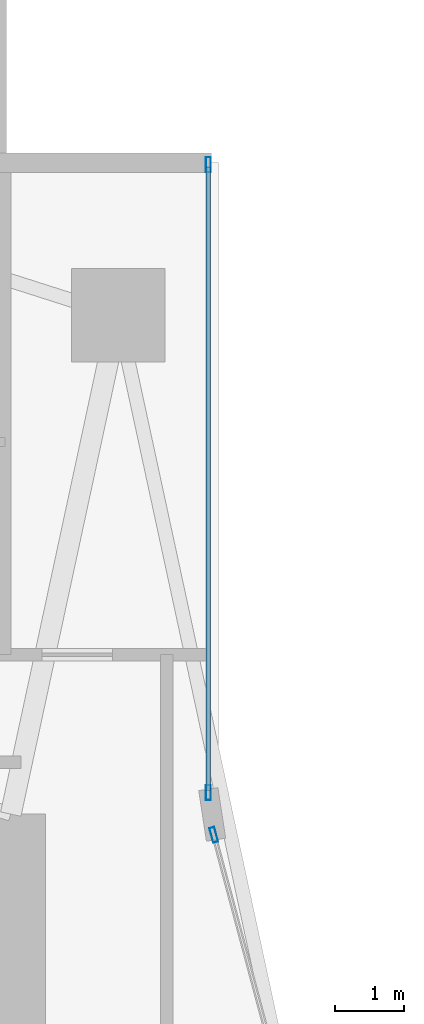
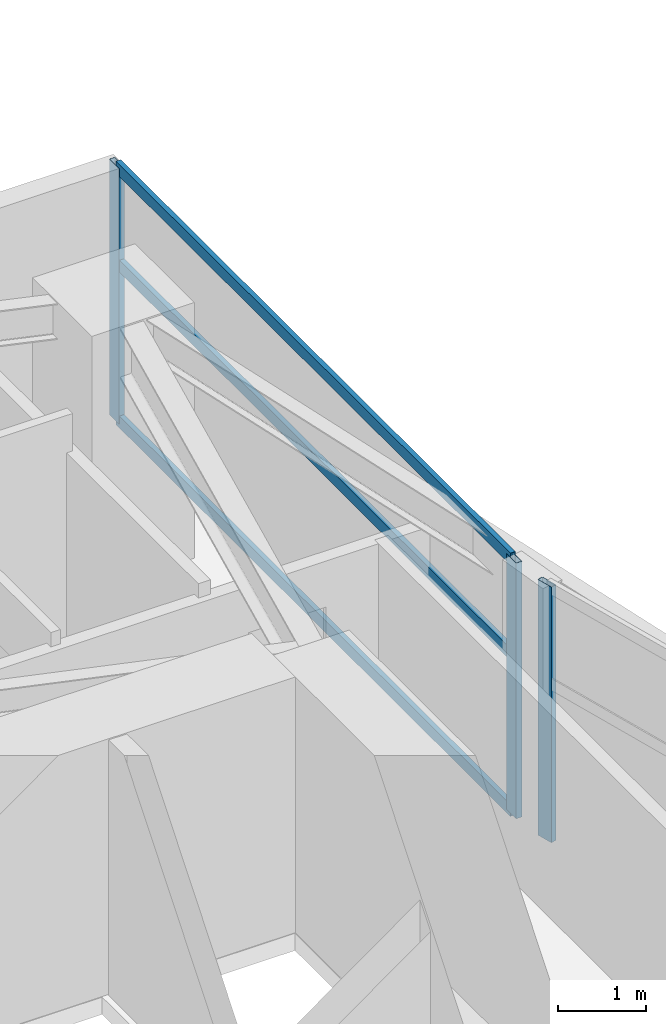
# One storey, part 18 of 30: 6 members, 2 elements without a shape of their own.
"""IFC4 building model written with IfcOpenShell, lengths in metres."""

from ifc_helpers import new_model, si_unit, direction, frame, origin, origin_2d, place, context, subcontext, project, spatial, hollow_rectangle, extrude, material, layer, layer_set, material_profile, profile_set, type_object, element, aggregate, save


model = new_model("IFC4")

# Units and contexts
model_context = context("Model", 3, precision=1e-05, world=origin(), true_north=direction((0.0, 1.0)))
body_context = subcontext(model_context, "Body", "Model", "MODEL_VIEW")
ifc_project = project(units=[si_unit("LENGTHUNIT", "METRE"), si_unit("AREAUNIT", "SQUARE_METRE"), si_unit("VOLUMEUNIT", "CUBIC_METRE"), si_unit("PLANEANGLEUNIT", "RADIAN"), si_unit("MASSUNIT", "GRAM", prefix="KILO")], contexts=[model_context])

# Site, building, storey
site_placement = place(None, origin())
site = spatial("IfcSite", under=ifc_project, at=site_placement, CompositionType="ELEMENT")
building_placement = place(site_placement, origin())
building = spatial("IfcBuilding", under=site, at=building_placement, Name="Calvorn Quay Hotel", CompositionType="ELEMENT")
storey_placement = place(building_placement, frame((0.0, 0.0, 73.60009765625)))
storey = spatial("IfcBuildingStorey", under=building, at=storey_placement, Name="L17", CompositionType="ELEMENT", Elevation=73.60009765625)

# Curtain wall, member
ifc_material_1 = material(Name="Pale Anodised Aluminium and Low-E Glass", Category="aluminium")
ifc_layer = layer(ifc_material_1, 0.219970703125)
ifc_layer_set = layer_set([ifc_layer], Name="CW-SYS-Z1")
curtain_wall_type = type_object("IfcCurtainWallType", Name="CW-SYS-Z1", PredefinedType="NOTDEFINED", material=ifc_layer_set)
curtain_wall_1_placement = place(storey_placement, origin())
curtain_wall_1 = element("IfcCurtainWall", 1, at=curtain_wall_1_placement, inside=storey, type_object=curtain_wall_type, Name="Inner Court Curtain Wall L17-IC1", PredefinedType="NOTDEFINED")
ifc_material_2 = material(Name="Pale Anodised Aluminium 6063-T6", Category="aluminium")
ifc_material_profile_1 = material_profile(ifc_material_2, hollow_rectangle(XDim=0.074951171875, YDim=0.219970703125, WallThickness=0.00439453125, at=origin_2d()), Name="ALU-M220x75x4.5")
ifc_profile_set_1 = profile_set([ifc_material_profile_1], Name="Pale Anodised Aluminium 6063-T6")
member_type_1 = type_object("IfcMemberType", Name="CW-SYS-Z1-MUL", PredefinedType="MULLION", material=ifc_profile_set_1)
member_1_placement = place(storey_placement, frame((17.9296875, 38.10107421875, 0.0), z_axis=(0.0, 0.0, 1.0), x_axis=(-0.96593652056, -0.25877913024, 0.0)))
member_1 = element("IfcMember", 2, at=member_1_placement, type_object=member_type_1, Name="CW-L17-IC1 mullion 2", PredefinedType="MULLION", context=body_context, shape_type="SweptSolid", body=[
    extrude(hollow_rectangle(XDim=0.074951171875, YDim=0.219970703125, WallThickness=0.00439453125, at=origin_2d()), origin(), (0.0, 0.0, 1.0), 3.559814453125),
])
aggregate(curtain_wall_1, [member_1])

# Curtain wall, members
curtain_wall_2_placement = place(storey_placement, origin())
curtain_wall_2 = element("IfcCurtainWall", 3, at=curtain_wall_2_placement, inside=storey, type_object=curtain_wall_type, Name="Inner Court Curtain Wall L17-IC2", PredefinedType="NOTDEFINED")
member_2_placement = place(storey_placement, frame((17.85009765625, 38.7099609375, 0.0), z_axis=(0.0, 0.0, 1.0), x_axis=(-1.0, 0.0, 0.0)))
member_2 = element("IfcMember", 4, at=member_2_placement, type_object=member_type_1, Name="CW-L17-IC2 mullion 1", PredefinedType="MULLION", context=body_context, shape_type="SweptSolid", body=[
    extrude(hollow_rectangle(XDim=0.074951171875, YDim=0.219970703125, WallThickness=0.00439453125, at=origin_2d()), origin(), (0.0, 0.0, 1.0), 3.559814453125),
])
member_3_placement = place(storey_placement, frame((17.85009765625, 47.77001953125, 0.0), z_axis=(0.0, 0.0, 1.0), x_axis=(-1.0, 0.0, 0.0)))
member_3 = element("IfcMember", 5, at=member_3_placement, type_object=member_type_1, Name="CW-L17-IC2 mullion 2", PredefinedType="MULLION", context=body_context, shape_type="SweptSolid", body=[
    extrude(hollow_rectangle(XDim=0.074951171875, YDim=0.219970703125, WallThickness=0.00439453125, at=origin_2d()), origin(), (0.0, 0.0, 1.0), 3.559814453125),
])
ifc_material_3 = material(Name="Pale Anodised Aluminium 6063-T6", Category="aluminium")
ifc_material_profile_2 = material_profile(ifc_material_3, hollow_rectangle(XDim=0.06494140625, YDim=0.1650390625, WallThickness=0.00341796875, at=origin_2d()), Name="ALU-T165x65x3.5")
ifc_profile_set_2 = profile_set([ifc_material_profile_2], Name="Pale Anodised Aluminium 6063-T6")
member_type_2 = type_object("IfcMemberType", Name="CW-SYS-Z1-TRN", PredefinedType="USERDEFINED", material=ifc_profile_set_2)
member_4_placement = place(storey_placement, frame((17.85009765625, 38.739990234375, 0.02978515625), z_axis=(0.0, 1.0, 0.0), x_axis=(-1.0, 0.0, 0.0)))
member_4 = element("IfcMember", 6, at=member_4_placement, type_object=member_type_2, Name="CW-L17-IC2 transom 1.1", ObjectType="TRANSOM", PredefinedType="USERDEFINED", context=body_context, shape_type="SweptSolid", body=[
    extrude(hollow_rectangle(XDim=0.06494140625, YDim=0.1650390625, WallThickness=0.00341796875, at=origin_2d()), origin(), (0.0, 0.0, 1.0), 9.0),
])
member_5_placement = place(storey_placement, frame((17.85009765625, 38.739990234375, 2.199951171875), z_axis=(0.0, 1.0, 0.0), x_axis=(-1.0, 0.0, 0.0)))
member_5 = element("IfcMember", 7, at=member_5_placement, type_object=member_type_2, Name="CW-L17-IC2 transom 1.2", ObjectType="TRANSOM", PredefinedType="USERDEFINED", context=body_context, shape_type="SweptSolid", body=[
    extrude(hollow_rectangle(XDim=0.06494140625, YDim=0.1650390625, WallThickness=0.00341796875, at=origin_2d()), origin(), (0.0, 0.0, 1.0), 9.0),
])
member_6_placement = place(storey_placement, frame((17.85009765625, 38.739990234375, 3.52978515625), z_axis=(0.0, 1.0, 0.0), x_axis=(-1.0, 0.0, 0.0)))
member_6 = element("IfcMember", 8, at=member_6_placement, type_object=member_type_2, Name="CW-L17-IC2 transom 1.3", ObjectType="TRANSOM", PredefinedType="USERDEFINED", context=body_context, shape_type="SweptSolid", body=[
    extrude(hollow_rectangle(XDim=0.06494140625, YDim=0.1650390625, WallThickness=0.00341796875, at=origin_2d()), origin(), (0.0, 0.0, 1.0), 9.0),
])
aggregate(curtain_wall_2, [member_2, member_3, member_4, member_5, member_6])

save(model, "model.ifc")
